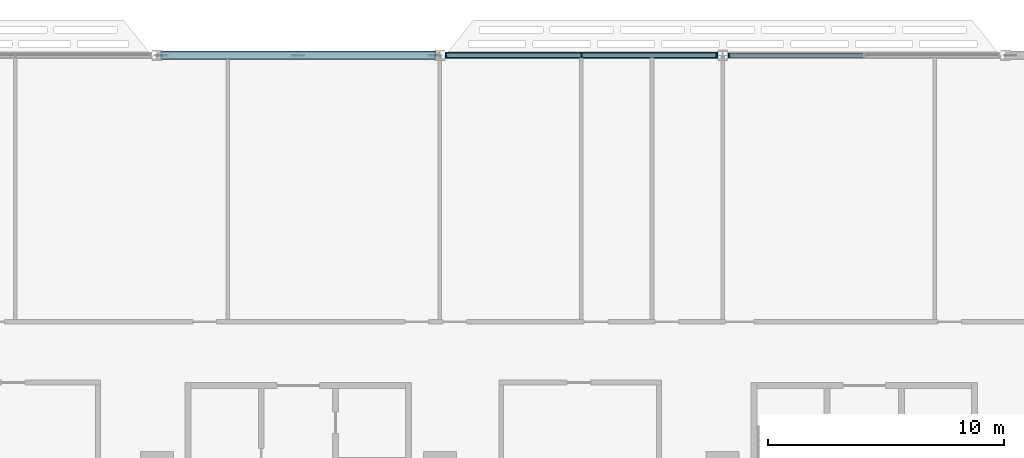
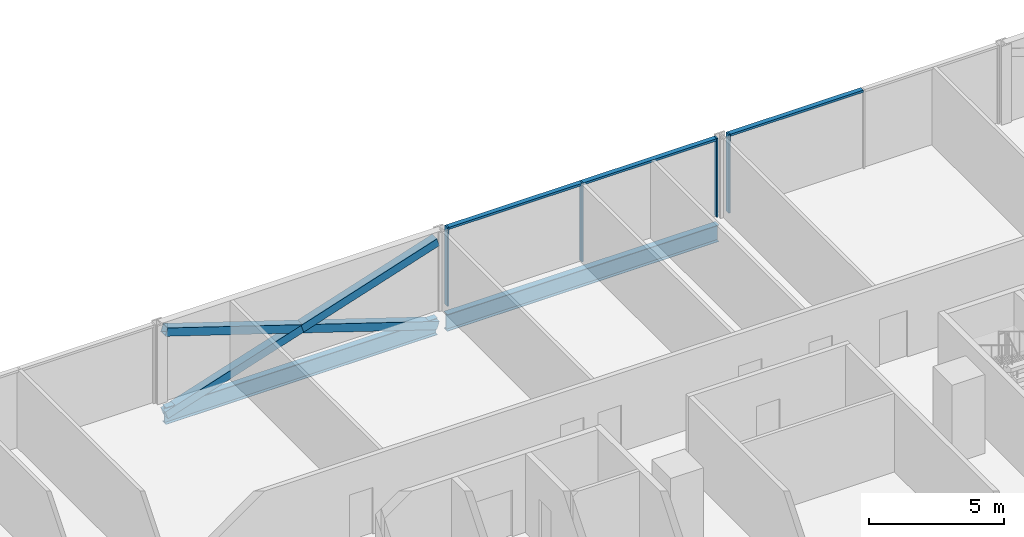
# One storey, part 7 of 29: 10 members, 2 beams, 2 elements without a shape of their own.
"""IFC4 building model written with IfcOpenShell, lengths in metres."""

from ifc_helpers import new_model, si_unit, direction, frame, origin, origin_2d, place, context, subcontext, project, spatial, rectangle, hollow_rectangle, i_section, extrude, material, material_profile, profile_set, type_object, element, aggregate, save


model = new_model("IFC4")

# Units and contexts
model_context = context("Model", 3, precision=1e-05, world=origin(), true_north=direction((0.0, 1.0)))
body_context = subcontext(model_context, "Body", "Model", "MODEL_VIEW")
ifc_project = project(units=[si_unit("LENGTHUNIT", "METRE"), si_unit("AREAUNIT", "SQUARE_METRE"), si_unit("VOLUMEUNIT", "CUBIC_METRE"), si_unit("PLANEANGLEUNIT", "RADIAN"), si_unit("MASSUNIT", "GRAM", prefix="KILO")], contexts=[model_context])

# Site, building, storey
site_placement = place(None, origin())
site = spatial("IfcSite", under=ifc_project, at=site_placement, CompositionType="ELEMENT")
building_placement = place(site_placement, origin())
building = spatial("IfcBuilding", under=site, at=building_placement, Name="Mahtab Terrace Research Tower", CompositionType="ELEMENT")
storey_placement = place(building_placement, frame((0.0, 0.0, 113.5)))
storey = spatial("IfcBuildingStorey", under=building, at=storey_placement, Name="L26", CompositionType="ELEMENT", Elevation=113.5)

# Members
ifc_material_1 = material(Name="Steel ASTM A500 Gr C", Category="steel")
ifc_material_profile_1 = material_profile(ifc_material_1, hollow_rectangle(XDim=0.355712890625, YDim=0.355712890625, WallThickness=0.01904296875, at=origin_2d()), Name="HSS14X14X3/4")
ifc_profile_set_1 = profile_set([ifc_material_profile_1], Name="Steel ASTM A500 Gr C")
member_type_1 = type_object("IfcMemberType", Name="HSS 14x14x3/4 brace XB141434", PredefinedType="BRACE", material=ifc_profile_set_1)
member_1_placement = place(storey_placement, frame((5.79052734375, 29.0, -0.650634765625), z_axis=(-0.951267820326, 0.0, 0.308365909291), x_axis=(0.0, -1.0, 0.0)))
element("IfcMember", 1, at=member_1_placement, inside=storey, type_object=member_type_1, Name="Exoskeleton brace L26 05 a", PredefinedType="BRACE", context=body_context, shape_type="SweptSolid", body=[
    extrude(hollow_rectangle(XDim=0.355712890625, YDim=0.355712890625, WallThickness=0.01904296875, at=origin_2d()), origin(), (0.0, 0.0, 1.0), 12.17431640625),
])
for number, where, z_axis, x_axis, name in (
    (2, (-5.79052734375, 29.0, -0.650634765625), (0.951261937662, 0.0, 0.308384055936), (0.0, 1.0, 0.0), "Exoskeleton brace L26 05 b1"),
    (3, (0.0, 29.0, 1.2265625), (0.951273702716, 0.0, 0.30834776231), (0.0, 1.0, 0.0), "Exoskeleton brace L26 05 b2"),
):
    element("IfcMember", number, at=place(storey_placement, frame(where, z_axis=z_axis, x_axis=x_axis)), inside=storey, type_object=member_type_1, Name=name, PredefinedType="BRACE", context=body_context, shape_type="SweptSolid", body=[
        extrude(hollow_rectangle(XDim=0.355712890625, YDim=0.355712890625, WallThickness=0.01904296875, at=origin_2d()), origin(), (0.0, 0.0, 1.0), 6.087158203125),
    ])

# Curtain wall, member
ifc_material_2 = material(Name="Laboratory ribbon curtain wall")
curtain_wall_type = type_object("IfcCurtainWallType", Name="Laboratory ribbon curtain wall", PredefinedType="NOTDEFINED", material=ifc_material_2)
curtain_wall_1_placement = place(storey_placement, origin())
curtain_wall_1 = element("IfcCurtainWall", 4, at=curtain_wall_1_placement, inside=storey, type_object=curtain_wall_type, Name="EN.L26.3.5", PredefinedType="NOTDEFINED")
ifc_material_3 = material(Name="Natural anodised aluminium", Category="aluminium")
ifc_material_profile_2 = material_profile(ifc_material_3, rectangle(XDim=0.199951171875, YDim=0.06494140625, at=origin_2d()), Name="MULLION 65x200")
ifc_profile_set_2 = profile_set([ifc_material_profile_2], Name="Natural anodised aluminium")
member_type_2 = type_object("IfcMemberType", Name="Laboratory ribbon curtain wall mullion", PredefinedType="MULLION", material=ifc_profile_set_2)
member_2_placement = place(storey_placement, frame((18.260498046875, 29.0, 0.0), z_axis=(0.0, 0.0, 1.0), x_axis=(0.0, -1.0, 0.0)))
member_2 = element("IfcMember", 5, at=member_2_placement, type_object=member_type_2, Name="CWL-3 mullion 3", PredefinedType="MULLION", context=body_context, shape_type="SweptSolid", body=[
    extrude(rectangle(XDim=0.199951171875, YDim=0.06494140625, at=origin_2d()), origin(), (0.0, 0.0, 1.0), 3.550048828125),
])

# Curtain wall, members
curtain_wall_2_placement = place(storey_placement, origin())
curtain_wall_2 = element("IfcCurtainWall", 6, at=curtain_wall_2_placement, inside=storey, type_object=curtain_wall_type, Name="EN.L26.3.6", PredefinedType="NOTDEFINED")
member_3_placement = place(storey_placement, frame((17.739501953125, 29.0, 0.0), z_axis=(0.0, 0.0, 1.0), x_axis=(0.0, -1.0, 0.0)))
member_3 = element("IfcMember", 7, at=member_3_placement, type_object=member_type_2, Name="CWL-3 mullion 1", PredefinedType="MULLION", context=body_context, shape_type="SweptSolid", body=[
    extrude(rectangle(XDim=0.199951171875, YDim=0.06494140625, at=origin_2d()), origin(), (0.0, 0.0, 1.0), 3.550048828125),
])
member_4_placement = place(storey_placement, frame((12.0, 29.0, 0.0), z_axis=(0.0, 0.0, 1.0), x_axis=(0.0, -1.0, 0.0)))
member_4 = element("IfcMember", 8, at=member_4_placement, type_object=member_type_2, Name="CWL-3 mullion 2", PredefinedType="MULLION", context=body_context, shape_type="SweptSolid", body=[
    extrude(rectangle(XDim=0.199951171875, YDim=0.06494140625, at=origin_2d()), origin(), (0.0, 0.0, 1.0), 3.550048828125),
])
member_5_placement = place(storey_placement, frame((6.260498046875, 29.0, 0.0), z_axis=(0.0, 0.0, 1.0), x_axis=(0.0, -1.0, 0.0)))
member_5 = element("IfcMember", 9, at=member_5_placement, type_object=member_type_2, Name="CWL-3 mullion 3", PredefinedType="MULLION", context=body_context, shape_type="SweptSolid", body=[
    extrude(rectangle(XDim=0.199951171875, YDim=0.06494140625, at=origin_2d()), origin(), (0.0, 0.0, 1.0), 3.550048828125),
])

# Member
ifc_material_profile_3 = material_profile(ifc_material_3, rectangle(XDim=0.199951171875, YDim=0.10009765625, at=origin_2d()), Name="TRANSOM 100x200")
ifc_profile_set_3 = profile_set([ifc_material_profile_3], Name="Natural anodised aluminium")
member_type_3 = type_object("IfcMemberType", Name="Laboratory ribbon curtain wall transom", PredefinedType="USERDEFINED", material=ifc_profile_set_3)
member_6_placement = place(storey_placement, frame((23.967529296875, 29.0, 3.5), z_axis=(-1.0, 0.0, 0.0), x_axis=(0.0, -1.0, 0.0)))
member_6 = element("IfcMember", 10, at=member_6_placement, type_object=member_type_3, Name="CWL-3 transom 2", ObjectType="TRANSOM", PredefinedType="USERDEFINED", context=body_context, shape_type="SweptSolid", body=[
    extrude(rectangle(XDim=0.199951171875, YDim=0.10009765625, at=origin_2d()), origin(), (0.0, 0.0, 1.0), 5.674560546875),
])

aggregate(curtain_wall_1, [member_2, member_6])

member_7_placement = place(storey_placement, frame((17.70703125, 29.0, 3.5), z_axis=(-1.0, 0.0, 0.0), x_axis=(0.0, -1.0, 0.0)))
member_7 = element("IfcMember", 11, at=member_7_placement, type_object=member_type_3, Name="CWL-3 transom 1", ObjectType="TRANSOM", PredefinedType="USERDEFINED", context=body_context, shape_type="SweptSolid", body=[
    extrude(rectangle(XDim=0.199951171875, YDim=0.10009765625, at=origin_2d()), origin(), (0.0, 0.0, 1.0), 5.674560546875),
])

member_8_placement = place(storey_placement, frame((11.967529296875, 29.0, 3.5), z_axis=(-1.0, 0.0, 0.0), x_axis=(0.0, -1.0, 0.0)))
member_8 = element("IfcMember", 12, at=member_8_placement, type_object=member_type_3, Name="CWL-3 transom 2", ObjectType="TRANSOM", PredefinedType="USERDEFINED", context=body_context, shape_type="SweptSolid", body=[
    extrude(rectangle(XDim=0.199951171875, YDim=0.10009765625, at=origin_2d()), origin(), (0.0, 0.0, 1.0), 5.674560546875),
])

aggregate(curtain_wall_2, [member_3, member_4, member_5, member_7, member_8])

# Beams
ifc_material_4 = material(Name="Steel ASTM A992 Gr 50", Category="steel")
ifc_material_profile_4 = material_profile(ifc_material_4, i_section(OverallWidth=0.2666015625, OverallDepth=0.7568359375, WebThickness=0.013916015625, FlangeThickness=0.019287109375, at=origin_2d()), Name="W30X108")
ifc_profile_set_4 = profile_set([ifc_material_profile_4], Name="Steel ASTM A992 Gr 50")
beam_type = type_object("IfcBeamType", Name="W30x108 beam BS30108", PredefinedType="BEAM", material=ifc_profile_set_4)
for number, where, z_axis, x_axis, name in (
    (13, (17.79052734375, 29.0, -0.718505859375), (-1.0, 0.0, 0.0), (0.0, -1.0, 0.0), "Spandrel beam L26 04"),
    (14, (5.79052734375, 29.0, -0.718505859375), (-1.0, 0.0, 0.0), (0.0, -1.0, 0.0), "Spandrel beam L26 05"),
):
    element("IfcBeam", number, at=place(storey_placement, frame(where, z_axis=z_axis, x_axis=x_axis)), inside=storey, type_object=beam_type, Name=name, PredefinedType="BEAM", context=body_context, shape_type="SweptSolid", body=[
        extrude(i_section(OverallWidth=0.2666015625, OverallDepth=0.7568359375, WebThickness=0.013916015625, FlangeThickness=0.019287109375, at=origin_2d()), origin(), (0.0, 0.0, 1.0), 11.5810546875),
    ])

save(model, "model.ifc")
